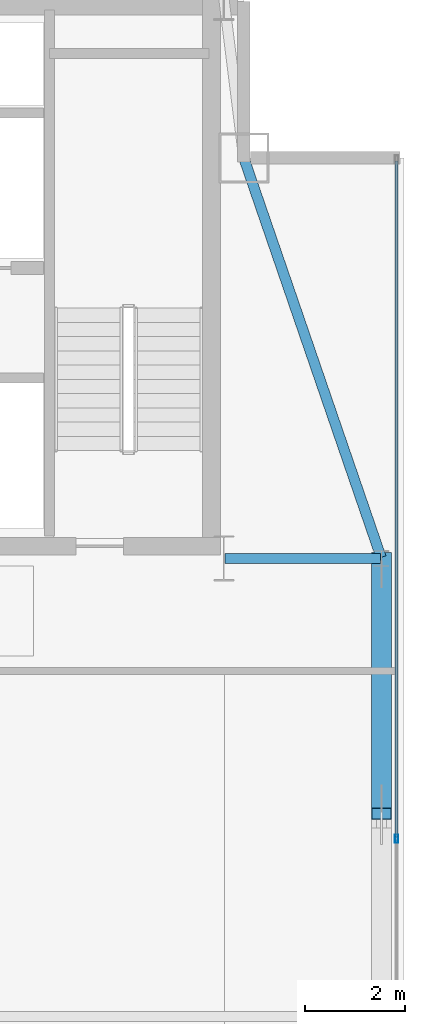
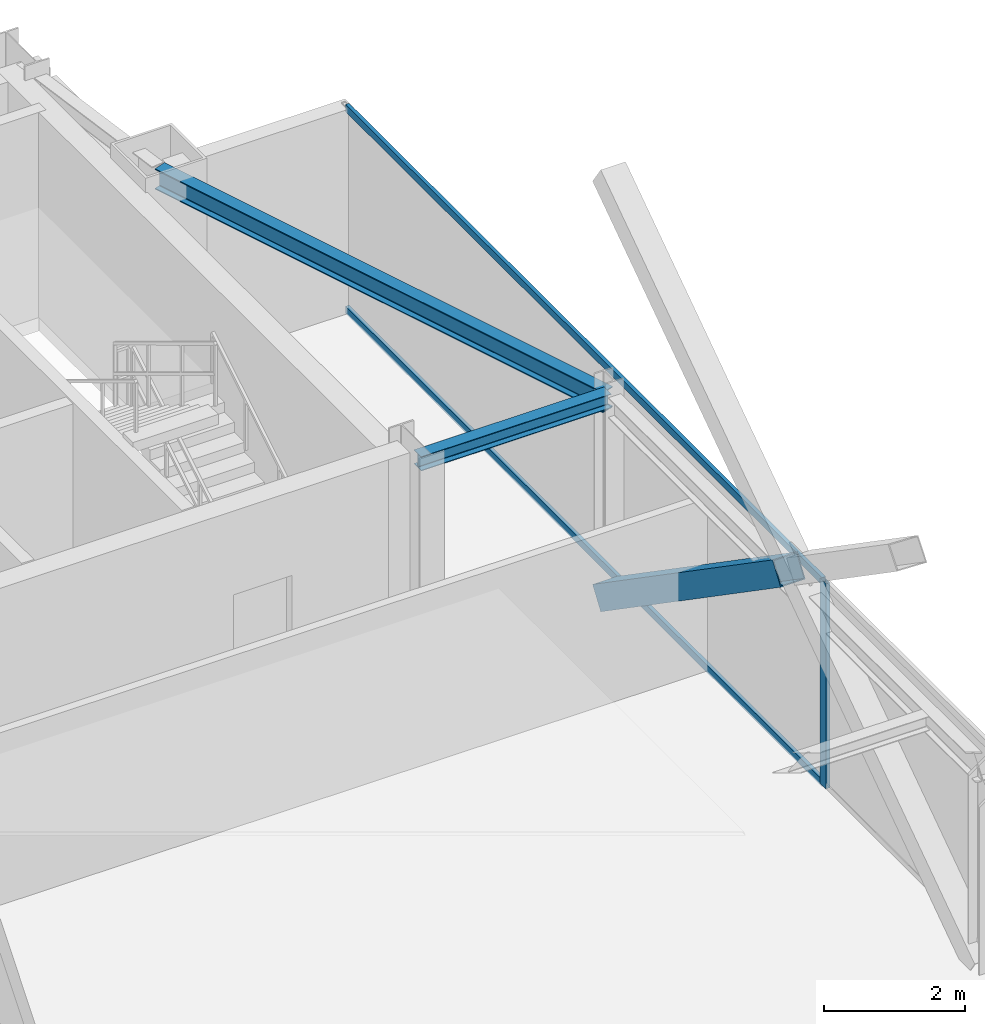
# One storey, part 14 of 25: 4 members, 2 beams, 1 element without a shape of its own.
"""IFC4 building model written with IfcOpenShell, lengths in metres."""

from ifc_helpers import new_model, si_unit, direction, frame, origin, origin_2d, place, context, subcontext, project, spatial, hollow_rectangle, i_section, extrude, source, transform, mapped, material, layer, layer_set, material_profile, profile_set, type_object, type_shapes, element, aggregate, save


model = new_model("IFC4")

# Units and contexts
model_context = context("Model", 3, precision=1e-05, world=origin(), true_north=direction((0.0, 1.0)))
body_context = subcontext(model_context, "Body", "Model", "MODEL_VIEW")
ifc_project = project(units=[si_unit("LENGTHUNIT", "METRE"), si_unit("AREAUNIT", "SQUARE_METRE"), si_unit("VOLUMEUNIT", "CUBIC_METRE"), si_unit("PLANEANGLEUNIT", "RADIAN"), si_unit("MASSUNIT", "GRAM", prefix="KILO")], contexts=[model_context])

# Site, building, storey
site_placement = place(None, origin())
site = spatial("IfcSite", under=ifc_project, at=site_placement, CompositionType="ELEMENT")
building_placement = place(site_placement, origin())
building = spatial("IfcBuilding", under=site, at=building_placement, Name="Varnel Quay Broadcast Tower", CompositionType="ELEMENT")
storey_placement = place(building_placement, frame((0.0, 0.0, 288.800048828125)))
storey = spatial("IfcBuildingStorey", under=building, at=storey_placement, Name="L72", CompositionType="ELEMENT", Elevation=288.800048828125)

# Beams
ifc_material_1 = material(Name="Structural Steel CSA G40.21 350W", Category="steel")
ifc_material_profile_1 = material_profile(ifc_material_1, i_section(OverallWidth=0.205078125, OverallDepth=0.35400390625, WebThickness=0.009521484375, FlangeThickness=0.016845703125, FilletRadius=0.012939453125, at=origin_2d()), Name="W360X79")
ifc_profile_set_1 = profile_set([ifc_material_profile_1], Name="Structural Steel CSA G40.21 350W")
beam_type_1 = type_object("IfcBeamType", Name="Beam_W360X79", PredefinedType="SPANDREL", material=ifc_profile_set_1)
shared_shape_1 = source(origin(), body_context, "Body", "SweptSolid", [
    extrude(i_section(OverallWidth=0.205078125, OverallDepth=0.35400390625, WebThickness=0.009521484375, FlangeThickness=0.016845703125, FilletRadius=0.012939453125, at=origin_2d()), origin(), (0.0, 0.0, 1.0), 8.41943359375),
])
type_shapes(beam_type_1, [shared_shape_1])
beam_1_placement = place(storey_placement, frame((55.54345703125, 35.618896484375, 3.373046875), z_axis=(-0.325087062108, 0.945684092099, 0.0), x_axis=(-0.945684092099, -0.325087062108, 0.0)))
element("IfcBeam", 1, at=beam_1_placement, inside=storey, type_object=beam_type_1, Name="L72 East Spandrel TC-E2-MC-NE", PredefinedType="SPANDREL", context=body_context, shape_type="MappedRepresentation", body=[
    mapped(shared_shape_1, transform((0.0, 0.0, 0.0), x_axis=(1.0, 0.0, 0.0), y_axis=(0.0, 1.0, 0.0), z_axis=(0.0, 0.0, 1.0), scale=1.0)),
])
ifc_material_profile_2 = material_profile(ifc_material_1, i_section(OverallWidth=0.201904296875, OverallDepth=0.2470703125, WebThickness=0.00732421875, FlangeThickness=0.010986328125, FilletRadius=0.010986328125, at=origin_2d()), Name="W250X49")
ifc_profile_set_2 = profile_set([ifc_material_profile_2], Name="Structural Steel CSA G40.21 350W")
beam_type_2 = type_object("IfcBeamType", Name="Beam_W250X49", PredefinedType="JOIST", material=ifc_profile_set_2)
shared_shape_2 = source(origin(), body_context, "Body", "SweptSolid", [
    extrude(i_section(OverallWidth=0.201904296875, OverallDepth=0.2470703125, WebThickness=0.00732421875, FlangeThickness=0.010986328125, FilletRadius=0.010986328125, at=origin_2d()), origin(), (0.0, 0.0, 1.0), 3.110107421875),
])
type_shapes(beam_type_2, [shared_shape_2])
beam_2_placement = place(storey_placement, frame((52.419921875, 35.60009765625, 3.426513671875), z_axis=(1.0, 0.0, 0.0), x_axis=(0.0, 1.0, 0.0)))
element("IfcBeam", 2, at=beam_2_placement, inside=storey, type_object=beam_type_2, Name="L72 East Core Tie Joist", PredefinedType="JOIST", context=body_context, shape_type="MappedRepresentation", body=[
    mapped(shared_shape_2, transform((0.0, 0.0, 0.0), x_axis=(1.0, 0.0, 0.0), y_axis=(0.0, 1.0, 0.0), z_axis=(0.0, 0.0, 1.0), scale=1.0)),
])

# Member
ifc_material_profile_3 = material_profile(ifc_material_1, hollow_rectangle(XDim=0.406005859375, YDim=0.406005859375, WallThickness=0.01611328125, at=origin_2d()), Name="HSS406X406X16")
ifc_profile_set_3 = profile_set([ifc_material_profile_3], Name="Structural Steel CSA G40.21 350W")
member_type_1 = type_object("IfcMemberType", Name="Brace_HSS406X406X16", PredefinedType="BRACE", material=ifc_profile_set_3)
shared_shape_3 = source(origin(), body_context, "Body", "SweptSolid", [
    extrude(hollow_rectangle(XDim=0.406005859375, YDim=0.406005859375, WallThickness=0.01611328125, at=origin_2d()), origin(), (0.0, 0.0, 1.0), 6.19580078125),
])
type_shapes(member_type_1, [shared_shape_3])
member_1_placement = place(storey_placement, frame((55.550048828125, 35.60009765625, 0.02001953125), z_axis=(0.0, -0.823236281778, 0.567698885295), x_axis=(1.0, 0.0, 0.0)))
element("IfcMember", 3, at=member_1_placement, inside=storey, type_object=member_type_1, Name="Zone 5 Mega-Brace E-FT3 Split Diag B1", PredefinedType="BRACE", context=body_context, shape_type="MappedRepresentation", body=[
    mapped(shared_shape_3, transform((0.0, 0.0, 0.0), x_axis=(1.0, 0.0, 0.0), y_axis=(0.0, 1.0, 0.0), z_axis=(0.0, 0.0, 1.0), scale=1.0)),
])

# Curtain wall, members
ifc_material_2 = material(Name="Anodised Bronze Aluminium 6063-T6", Category="aluminium")
ifc_layer = layer(ifc_material_2, 0.18994140625, Name="Anodised Bronze Aluminium 6063-T6")
ifc_layer_set = layer_set([ifc_layer], Name="Anodised Bronze Aluminium 6063-T6")
curtain_wall_type = type_object("IfcCurtainWallType", Name="CW_UpperTower", PredefinedType="NOTDEFINED", material=ifc_layer_set)
curtain_wall_placement = place(storey_placement, origin())
curtain_wall = element("IfcCurtainWall", 4, at=curtain_wall_placement, inside=storey, type_object=curtain_wall_type, Name="L72 East Unitised Curtain Wall", PredefinedType="NOTDEFINED")
ifc_material_profile_4 = material_profile(ifc_material_2, hollow_rectangle(XDim=0.06494140625, YDim=0.1650390625, WallThickness=0.00341796875, at=origin_2d()), Name="ALU65X165X3.5")
ifc_profile_set_4 = profile_set([ifc_material_profile_4], Name="Anodised Bronze Aluminium 6063-T6")
member_type_2 = type_object("IfcMemberType", Name="Mull_CWS-03", PredefinedType="MULLION", material=ifc_profile_set_4)
shared_shape_4 = source(origin(), body_context, "Body", "SweptSolid", [
    extrude(hollow_rectangle(XDim=0.06494140625, YDim=0.1650390625, WallThickness=0.00341796875, at=origin_2d()), origin(), (0.0, 0.0, 1.0), 3.550048828125),
])
type_shapes(member_type_2, [shared_shape_4])
member_2_placement = place(storey_placement, frame((55.85009765625, 30.0, 0.0), z_axis=(0.0, 0.0, 1.0), x_axis=(-1.0, 0.0, 0.0)))
member_2 = element("IfcMember", 5, at=member_2_placement, type_object=member_type_2, Name="CWS-03 mullion 2", PredefinedType="MULLION", context=body_context, shape_type="MappedRepresentation", body=[
    mapped(shared_shape_4, transform((0.0, 0.0, 0.0), x_axis=(1.0, 0.0, 0.0), y_axis=(0.0, 1.0, 0.0), z_axis=(0.0, 0.0, 1.0), scale=1.0)),
])
ifc_material_profile_5 = material_profile(ifc_material_2, hollow_rectangle(XDim=0.06005859375, YDim=0.125, WallThickness=0.0029296875, at=origin_2d()), Name="ALU60X125X3")
ifc_profile_set_5 = profile_set([ifc_material_profile_5], Name="Anodised Bronze Aluminium 6063-T6")
member_type_3 = type_object("IfcMemberType", Name="Tran_CWS-03", PredefinedType="USERDEFINED", material=ifc_profile_set_5)
shared_shape_5 = source(origin(), body_context, "Body", "SweptSolid", [
    extrude(hollow_rectangle(XDim=0.06005859375, YDim=0.125, WallThickness=0.0029296875, at=origin_2d()), origin(), (0.0, 0.0, 1.0), 13.50244140625),
])
type_shapes(member_type_3, [shared_shape_5])
member_3_placement = place(storey_placement, frame((55.85009765625, 30.032470703125, 0.030029296875), z_axis=(0.0, 1.0, 0.0), x_axis=(-1.0, 0.0, 0.0)))
member_3 = element("IfcMember", 6, at=member_3_placement, type_object=member_type_3, Name="CWS-03 transom 2.1", ObjectType="TRANSOM", PredefinedType="USERDEFINED", context=body_context, shape_type="MappedRepresentation", body=[
    mapped(shared_shape_5, transform((0.0, 0.0, 0.0), x_axis=(1.0, 0.0, 0.0), y_axis=(0.0, 1.0, 0.0), z_axis=(0.0, 0.0, 1.0), scale=1.0)),
])
member_4_placement = place(storey_placement, frame((55.85009765625, 30.032470703125, 3.52001953125), z_axis=(0.0, 1.0, 0.0), x_axis=(-1.0, 0.0, 0.0)))
member_4 = element("IfcMember", 7, at=member_4_placement, type_object=member_type_3, Name="CWS-03 transom 2.2", ObjectType="TRANSOM", PredefinedType="USERDEFINED", context=body_context, shape_type="MappedRepresentation", body=[
    mapped(shared_shape_5, transform((0.0, 0.0, 0.0), x_axis=(1.0, 0.0, 0.0), y_axis=(0.0, 1.0, 0.0), z_axis=(0.0, 0.0, 1.0), scale=1.0)),
])
aggregate(curtain_wall, [member_2, member_3, member_4])

save(model, "model.ifc")
